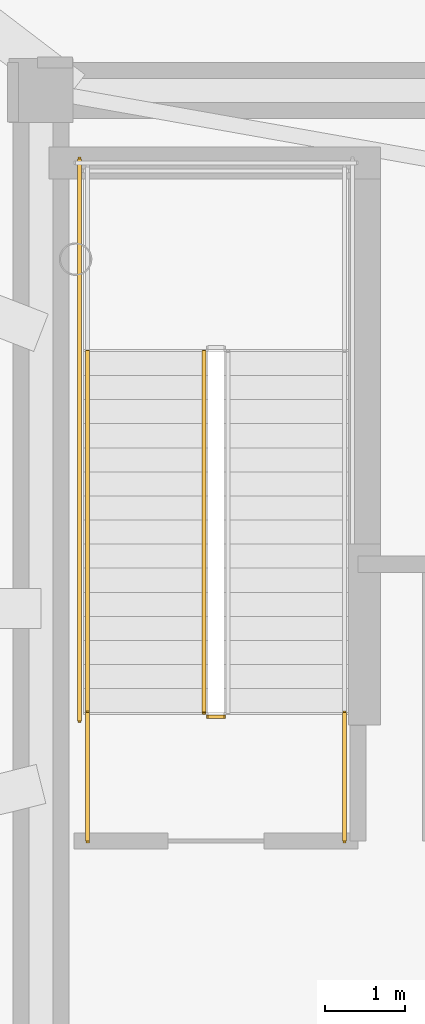
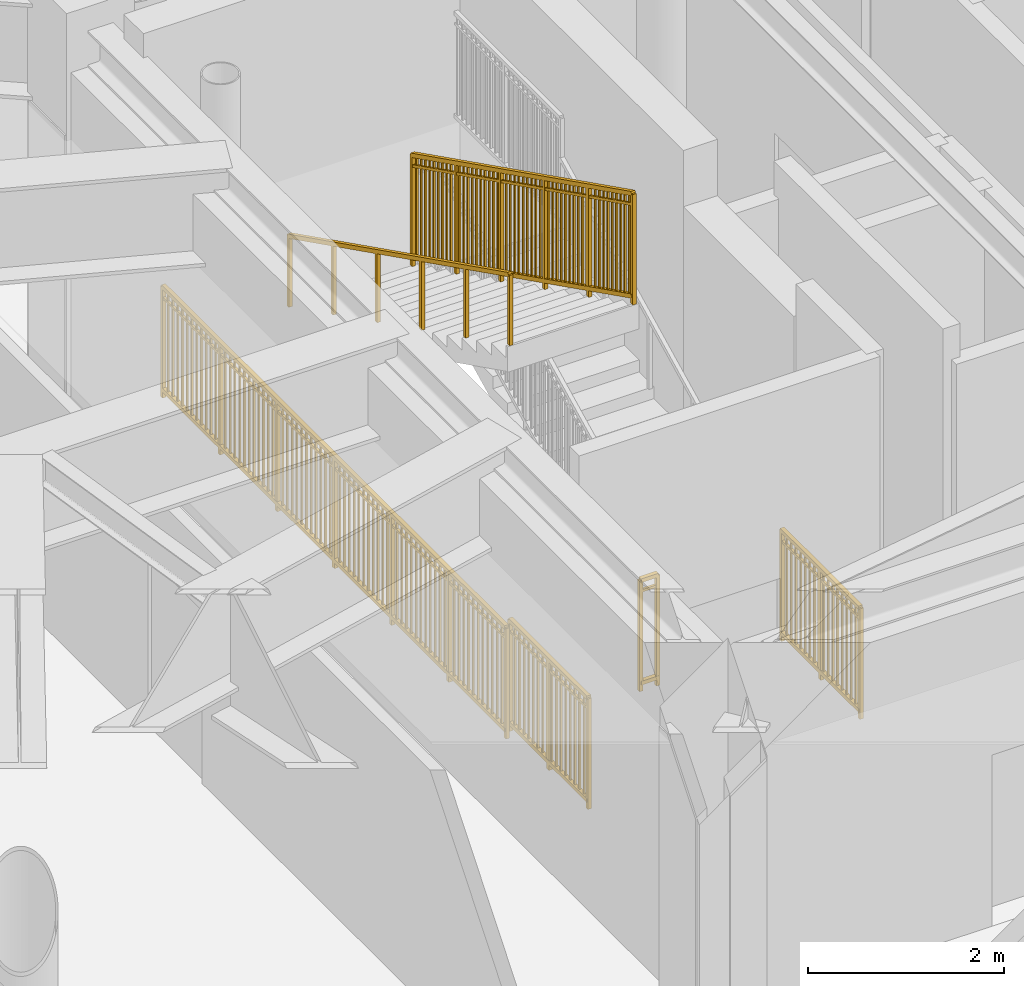
# One storey, part 6 of 11: 6 railings.
"""IFC4 building model written with IfcOpenShell, lengths in metres."""

import ifcopenshell
import ifcopenshell.guid

model = None  # the IFC model being written
_history = None  # IfcOwnerHistory: only IFC2X3 demands one
_inside = {}  # id of a spatial element -> (the spatial element, [elements in it])
_under = {}  # id of a project, library or spatial element -> (it, [spatial elements below it])
_declared = {}  # id of a project -> (the project, [libraries it declares])
_typed = {}  # id of a type object -> (the type object, [elements of that type])
_made_of = {}  # id of a material, layer set ... -> (it, [elements and type objects made of it])


def new_model(schema):
    """Start an empty IFC model of exactly this schema.

    Asked for "IFC4X3", IfcOpenShell would pick the latest addendum, in which some entities
    have other attributes; the version numbers below select the first issue.
    IFC2X3 requires an IfcOwnerHistory on every rooted entity: one is made here for all.
    """
    global model, _history
    if schema == "IFC4X3":
        model = ifcopenshell.file(schema_version=(4, 3, 0, 0))
    else:
        model = ifcopenshell.file(schema=schema)
    _inside.clear()
    _under.clear()
    _declared.clear()
    _typed.clear()
    _made_of.clear()
    _history = None
    if model.schema == "IFC2X3":
        org = make("IfcOrganization", Name="unknown")
        user = make(
            "IfcPersonAndOrganization",
            ThePerson=make("IfcPerson", FamilyName="unknown"),
            TheOrganization=org,
        )
        app = make(
            "IfcApplication",
            ApplicationDeveloper=org,
            Version="unknown",
            ApplicationFullName="unknown",
            ApplicationIdentifier="unknown",
        )
        _history = make(
            "IfcOwnerHistory",
            OwningUser=user,
            OwningApplication=app,
            ChangeAction="ADDED",
            CreationDate=0,
        )
    return model


def make(cls, **values):
    """One entity of the class cls with the attributes given. An attribute that is None is left unset."""
    return model.create_entity(
        cls, **{name: value for name, value in values.items() if value is not None}
    )


def rooted(cls, **values):
    """An entity with a GlobalId (a new one), such as an element, a storey or a relation."""
    return make(cls, GlobalId=ifcopenshell.guid.new(), OwnerHistory=_history, **values)


def si_unit(unit_type, name, prefix=None):
    """IfcSIUnit, for example si_unit("LENGTHUNIT", "METRE", prefix="MILLI")."""
    return make("IfcSIUnit", UnitType=unit_type, Prefix=prefix, Name=name)


def assignment(units):
    """IfcUnitAssignment: the units of a project."""
    return None if units is None else make("IfcUnitAssignment", Units=units)


def point(xyz):
    """IfcCartesianPoint."""
    return None if xyz is None else make("IfcCartesianPoint", Coordinates=xyz)


def direction(xyz):
    """IfcDirection."""
    return None if xyz is None else make("IfcDirection", DirectionRatios=xyz)


def frame(location, z_axis=None, x_axis=None):
    """IfcAxis2Placement3D, a coordinate frame: its origin and axes. An axis left out is left unset."""
    return make(
        "IfcAxis2Placement3D",
        Location=point(location),
        Axis=direction(z_axis),
        RefDirection=direction(x_axis),
    )


def frame_2d(location, x_axis=None):
    """IfcAxis2Placement2D, a coordinate frame in the plane: its origin and x axis."""
    return make(
        "IfcAxis2Placement2D", Location=point(location), RefDirection=direction(x_axis)
    )


def origin():
    """The frame at (0, 0, 0) with its axes left unset."""
    return frame((0.0, 0.0, 0.0))


def origin_2d():
    """The frame at (0, 0) in the plane with its x axis left unset."""
    return frame_2d((0.0, 0.0))


def place(relative_to, where):
    """IfcLocalPlacement: puts the frame where relative to a parent placement (None: the world)."""
    return make(
        "IfcLocalPlacement", PlacementRelTo=relative_to, RelativePlacement=where
    )


def context(
    kind, dimensions, precision=None, world=None, true_north=None, identifier=None
):
    """IfcGeometricRepresentationContext, for example the 3D "Model" context."""
    return make(
        "IfcGeometricRepresentationContext",
        ContextIdentifier=identifier,
        ContextType=kind,
        CoordinateSpaceDimension=dimensions,
        Precision=precision,
        WorldCoordinateSystem=world,
        TrueNorth=true_north,
    )


def subcontext(parent, identifier, kind, view, scale=None):
    """IfcGeometricRepresentationSubContext, for example "Body" below "Model"."""
    return make(
        "IfcGeometricRepresentationSubContext",
        ContextIdentifier=identifier,
        ContextType=kind,
        ParentContext=parent,
        TargetScale=scale,
        TargetView=view,
    )


def project(units=None, contexts=None):
    """IfcProject with its units and contexts."""
    return rooted(
        "IfcProject",
        Name="project",
        RepresentationContexts=contexts,
        UnitsInContext=assignment(units),
    )


def spatial(cls, under=None, at=None, **own):
    """A site, building, storey or space (cls), placed at a placement, below another one or the project."""
    s = rooted(cls, ObjectPlacement=at, **own)
    if under is not None:
        _under.setdefault(under.id(), (under, []))[1].append(s)
    return s


def profile(cls, at=None, kind="AREA", **sizes):
    """A parametric profile (cls). Its sizes go by their IFC names, for example OverallWidth=200.0."""
    return make(cls, ProfileType=kind, Position=at, **sizes)


def rectangle(**sizes):
    """IfcRectangleProfileDef."""
    return profile("IfcRectangleProfileDef", **sizes)


def extrude(swept, where, along, depth):
    """IfcExtrudedAreaSolid: the profile swept, set in the frame where, extruded along a direction by depth."""
    return make(
        "IfcExtrudedAreaSolid",
        SweptArea=swept,
        Position=where,
        ExtrudedDirection=direction(along),
        Depth=depth,
    )


def shape(context_of_items, identifier, shape_type, items):
    """IfcShapeRepresentation: the items that make up one representation, for example the "Body"."""
    return make(
        "IfcShapeRepresentation",
        ContextOfItems=context_of_items,
        RepresentationIdentifier=identifier,
        RepresentationType=shape_type,
        Items=items,
    )


def source(mapping_origin, context_of_items, identifier, shape_type, items):
    """IfcRepresentationMap: a shape defined once, which mapped items show again and again."""
    return make(
        "IfcRepresentationMap",
        MappingOrigin=mapping_origin,
        MappedRepresentation=shape(context_of_items, identifier, shape_type, items),
    )


def transform(
    local_origin,
    x_axis=None,
    y_axis=None,
    z_axis=None,
    scale=None,
    scale2=None,
    scale3=None,
    uniform=True,
):
    """IfcCartesianTransformationOperator3D, or its non-uniform kind. x_axis, y_axis, z_axis: its Axis1, 2, 3."""
    if uniform:
        return make(
            "IfcCartesianTransformationOperator3D",
            Axis1=direction(x_axis),
            Axis2=direction(y_axis),
            LocalOrigin=point(local_origin),
            Scale=scale,
            Axis3=direction(z_axis),
        )
    return make(
        "IfcCartesianTransformationOperator3DnonUniform",
        Axis1=direction(x_axis),
        Axis2=direction(y_axis),
        LocalOrigin=point(local_origin),
        Scale=scale,
        Axis3=direction(z_axis),
        Scale2=scale2,
        Scale3=scale3,
    )


def mapped(mapping_source, mapping_target):
    """IfcMappedItem: shows the shape of a source again, moved by a transform."""
    return make(
        "IfcMappedItem", MappingSource=mapping_source, MappingTarget=mapping_target
    )


def material(Name=None, Category=None):
    """IfcMaterial."""
    return make("IfcMaterial", Name=Name, Category=Category)


def made_of(thing, what):
    """Note that an element or type object is made of a material, layer set ...; save() writes the relation."""
    if what is not None:
        _made_of.setdefault(what.id(), (what, []))[1].append(thing)
    return thing


def type_object(cls, material=None, **own):
    """A type object (cls), such as IfcWallType, which elements share."""
    return made_of(rooted(cls, **own), material)


def element(
    cls,
    number,
    at=None,
    inside=None,
    cuts=None,
    type_object=None,
    material=None,
    context=None,
    identifier="Body",
    shape_type=None,
    held_by="IfcProductDefinitionShape",
    body=None,
    shapes=None,
    **own,
):
    """One element of the class cls, such as IfcWall. Its Tag is "e" and its number.

    at: its placement. inside: the storey or other place that contains it. cuts: it is an
    opening in that element (IfcRelVoidsElement). A single representation is given by context,
    identifier, shape_type and body (its items); several are given by shapes. held_by: the class
    of the entity that holds the representations. save() writes the other relations.
    """
    e = rooted(cls, Tag="e%d" % number, ObjectPlacement=at, **own)
    if body is not None:
        shapes = [shape(context, identifier, shape_type, body)]
    if shapes is not None:
        e.Representation = make(held_by, Representations=shapes)
    if inside is not None:
        _inside.setdefault(inside.id(), (inside, []))[1].append(e)
    if cuts is not None:
        rooted(
            "IfcRelVoidsElement", RelatingBuildingElement=cuts, RelatedOpeningElement=e
        )
    if type_object is not None:
        _typed.setdefault(type_object.id(), (type_object, []))[1].append(e)
    return made_of(e, material)


def aggregate(whole, parts):
    """IfcRelAggregates: a whole, such as a stair, and the parts it consists of."""
    return rooted("IfcRelAggregates", RelatingObject=whole, RelatedObjects=parts)


def save(model, path):
    """Write the relations noted so far, then the file.

    IfcRelAggregates (storeys below a building ...), IfcRelContainedInSpatialStructure (elements
    in a storey), IfcRelDefinesByType, IfcRelAssociatesMaterial and IfcRelDeclares: one each for
    every whole, place, type object, material and project.
    """
    for whole, parts in _under.values():
        aggregate(whole, parts)
    for where, things in _inside.values():
        rooted(
            "IfcRelContainedInSpatialStructure",
            RelatedElements=things,
            RelatingStructure=where,
        )
    for kind, things in _typed.values():
        rooted("IfcRelDefinesByType", RelatedObjects=things, RelatingType=kind)
    for what, things in _made_of.values():
        rooted("IfcRelAssociatesMaterial", RelatedObjects=things, RelatingMaterial=what)
    for by, libraries in _declared.values():
        rooted("IfcRelDeclares", RelatingContext=by, RelatedDefinitions=libraries)
    model.write(path)


model = new_model("IFC4")

# Units and contexts
model_context = context("Model", 3, precision=1e-05, world=origin(), true_north=direction((0.0, 1.0)))
body_context = subcontext(model_context, "Body", "Model", "MODEL_VIEW")
ifc_project = project(units=[si_unit("LENGTHUNIT", "METRE"), si_unit("AREAUNIT", "SQUARE_METRE"), si_unit("VOLUMEUNIT", "CUBIC_METRE"), si_unit("PLANEANGLEUNIT", "RADIAN"), si_unit("MASSUNIT", "GRAM", prefix="KILO")], contexts=[model_context])

# Site, building, storey
site_placement = place(None, origin())
site = spatial("IfcSite", under=ifc_project, at=site_placement, CompositionType="ELEMENT")
building_placement = place(site_placement, origin())
building = spatial("IfcBuilding", under=site, at=building_placement, Name="Linh Dai School and Residence Tower", CompositionType="ELEMENT")
storey_placement = place(building_placement, frame((0.0, 0.0, 363.60009765625)))
storey = spatial("IfcBuildingStorey", under=building, at=storey_placement, Name="L90", CompositionType="ELEMENT", Elevation=363.60009765625)

# Railings
ifc_material_1 = material(Name="Structural Steel S355JR", Category="steel")
railing_type_1 = type_object("IfcRailingType", Name="RL-ST-GUARD-1400", PredefinedType="GUARDRAIL", material=ifc_material_1)
shared_shape_1 = source(origin(), body_context, "Body", "SweptSolid", [
    extrude(rectangle(XDim=0.048095703125, YDim=0.048095703125, at=origin_2d()), frame((0.0, 0.0, 1.3759765625), z_axis=(-1.0, 0.0, 0.0), x_axis=(0.0, -1.0, 0.0)), (0.0, 0.0, 1.0), 0.199951171875),
    extrude(rectangle(XDim=0.048095703125, YDim=0.048095703125, at=origin_2d()), frame((0.0, 0.0, 0.10009765625), z_axis=(-1.0, 0.0, 0.0), x_axis=(0.0, -1.0, 0.0)), (0.0, 0.0, 1.0), 0.199951171875),
    extrude(rectangle(XDim=0.030029296875, YDim=0.030029296875, at=origin_2d()), frame((0.0, 0.0, 1.239990234375), z_axis=(-1.0, 0.0, 0.0), x_axis=(0.0, -1.0, 0.0)), (0.0, 0.0, 1.0), 0.199951171875),
    extrude(rectangle(XDim=0.0419921875, YDim=0.0419921875, at=origin_2d()), origin(), (0.0, 0.0, 1.0), 1.3759765625),
    extrude(rectangle(XDim=0.0419921875, YDim=0.0419921875, at=origin_2d()), frame((-0.199951171875, 0.0, 0.0)), (0.0, 0.0, 1.0), 1.3759765625),
])
railing_1_placement = place(storey_placement, frame((29.429931640625, 25.64990234375, 0.0)))
element("IfcRailing", 1, at=railing_1_placement, inside=storey, type_object=railing_type_1, Name="L90 ST1 stair guard 7", PredefinedType="GUARDRAIL", context=body_context, shape_type="MappedRepresentation", body=[
    mapped(shared_shape_1, transform((0.0, 0.0, 0.0), x_axis=(1.0, 0.0, 0.0), y_axis=(0.0, 1.0, 0.0), z_axis=(0.0, 0.0, 1.0), scale=1.0)),
])
shared_shape_2 = source(origin(), body_context, "Body", "SweptSolid", [
    extrude(rectangle(XDim=0.048095703125, YDim=0.048095703125, at=origin_2d()), frame((0.0, 0.0, 1.3759765625), z_axis=(0.0, 1.0, 0.0), x_axis=(-1.0, 0.0, 0.0)), (0.0, 0.0, 1.0), 1.599853515625),
    extrude(rectangle(XDim=0.048095703125, YDim=0.048095703125, at=origin_2d()), frame((0.0, 0.0, 0.10009765625), z_axis=(0.0, 1.0, 0.0), x_axis=(-1.0, 0.0, 0.0)), (0.0, 0.0, 1.0), 1.599853515625),
    extrude(rectangle(XDim=0.030029296875, YDim=0.030029296875, at=origin_2d()), frame((0.0, 0.0, 1.239990234375), z_axis=(0.0, 1.0, 0.0), x_axis=(-1.0, 0.0, 0.0)), (0.0, 0.0, 1.0), 1.599853515625),
    extrude(rectangle(XDim=0.02001953125, YDim=0.02001953125, at=origin_2d()), frame((0.0, 0.093994140625, 0.10009765625)), (0.0, 0.0, 1.0), 1.251708984375),
    extrude(rectangle(XDim=0.02001953125, YDim=0.02001953125, at=origin_2d()), frame((0.0, 0.188232421875, 0.10009765625)), (0.0, 0.0, 1.0), 1.251708984375),
    extrude(rectangle(XDim=0.02001953125, YDim=0.02001953125, at=origin_2d()), frame((0.0, 0.2822265625, 0.10009765625)), (0.0, 0.0, 1.0), 1.251708984375),
    extrude(rectangle(XDim=0.02001953125, YDim=0.02001953125, at=origin_2d()), frame((0.0, 0.37646484375, 0.10009765625)), (0.0, 0.0, 1.0), 1.251708984375),
    extrude(rectangle(XDim=0.02001953125, YDim=0.02001953125, at=origin_2d()), frame((0.0, 0.470458984375, 0.10009765625)), (0.0, 0.0, 1.0), 1.251708984375),
    extrude(rectangle(XDim=0.02001953125, YDim=0.02001953125, at=origin_2d()), frame((0.0, 0.564697265625, 0.10009765625)), (0.0, 0.0, 1.0), 1.251708984375),
    extrude(rectangle(XDim=0.02001953125, YDim=0.02001953125, at=origin_2d()), frame((0.0, 0.65869140625, 0.10009765625)), (0.0, 0.0, 1.0), 1.251708984375),
    extrude(rectangle(XDim=0.02001953125, YDim=0.02001953125, at=origin_2d()), frame((0.0, 0.7529296875, 0.10009765625)), (0.0, 0.0, 1.0), 1.251708984375),
    extrude(rectangle(XDim=0.02001953125, YDim=0.02001953125, at=origin_2d()), frame((0.0, 0.846923828125, 0.10009765625)), (0.0, 0.0, 1.0), 1.251708984375),
    extrude(rectangle(XDim=0.02001953125, YDim=0.02001953125, at=origin_2d()), frame((0.0, 0.941162109375, 0.10009765625)), (0.0, 0.0, 1.0), 1.251708984375),
    extrude(rectangle(XDim=0.02001953125, YDim=0.02001953125, at=origin_2d()), frame((0.0, 1.03515625, 0.10009765625)), (0.0, 0.0, 1.0), 1.251708984375),
    extrude(rectangle(XDim=0.02001953125, YDim=0.02001953125, at=origin_2d()), frame((0.0, 1.12939453125, 0.10009765625)), (0.0, 0.0, 1.0), 1.251708984375),
    extrude(rectangle(XDim=0.02001953125, YDim=0.02001953125, at=origin_2d()), frame((0.0, 1.223388671875, 0.10009765625)), (0.0, 0.0, 1.0), 1.251708984375),
    extrude(rectangle(XDim=0.02001953125, YDim=0.02001953125, at=origin_2d()), frame((0.0, 1.317626953125, 0.10009765625)), (0.0, 0.0, 1.0), 1.251708984375),
    extrude(rectangle(XDim=0.02001953125, YDim=0.02001953125, at=origin_2d()), frame((0.0, 1.41162109375, 0.10009765625)), (0.0, 0.0, 1.0), 1.251708984375),
    extrude(rectangle(XDim=0.02001953125, YDim=0.02001953125, at=origin_2d()), frame((0.0, 1.505859375, 0.10009765625)), (0.0, 0.0, 1.0), 1.251708984375),
    extrude(rectangle(XDim=0.0419921875, YDim=0.0419921875, at=origin_2d()), origin(), (0.0, 0.0, 1.0), 1.3759765625),
    extrude(rectangle(XDim=0.0419921875, YDim=0.0419921875, at=origin_2d()), frame((0.0, 0.7998046875, 0.0)), (0.0, 0.0, 1.0), 1.3759765625),
    extrude(rectangle(XDim=0.0419921875, YDim=0.0419921875, at=origin_2d()), frame((0.0, 1.599853515625, 0.0)), (0.0, 0.0, 1.0), 1.3759765625),
])
for number, where, name in (
    (2, (30.929931640625, 24.10009765625, 0.0), "L90 ST1 stair guard 8"),
    (3, (27.72998046875, 24.10009765625, 0.0), "L90 ST1 stair guard 9"),
):
    element("IfcRailing", number, at=place(storey_placement, frame(where)), inside=storey, type_object=railing_type_1, Name=name, PredefinedType="GUARDRAIL", context=body_context, shape_type="MappedRepresentation", body=[
        mapped(shared_shape_2, transform((0.0, 0.0, 0.0), x_axis=(1.0, 0.0, 0.0), y_axis=(0.0, 1.0, 0.0), z_axis=(0.0, 0.0, 1.0), scale=1.0)),
    ])
shared_shape_3 = source(origin(), body_context, "Body", "SweptSolid", [
    extrude(rectangle(XDim=0.048095703125, YDim=0.048095703125, at=origin_2d()), frame((0.0, 0.0, 1.3759765625), z_axis=(0.0, 1.0, 0.0), x_axis=(-1.0, 0.0, 0.0)), (0.0, 0.0, 1.0), 7.0),
    extrude(rectangle(XDim=0.048095703125, YDim=0.048095703125, at=origin_2d()), frame((0.0, 0.0, 0.10009765625), z_axis=(0.0, 1.0, 0.0), x_axis=(-1.0, 0.0, 0.0)), (0.0, 0.0, 1.0), 7.0),
    extrude(rectangle(XDim=0.030029296875, YDim=0.030029296875, at=origin_2d()), frame((0.0, 0.0, 1.239990234375), z_axis=(0.0, 1.0, 0.0), x_axis=(-1.0, 0.0, 0.0)), (0.0, 0.0, 1.0), 7.0),
    extrude(rectangle(XDim=0.02001953125, YDim=0.02001953125, at=origin_2d()), frame((0.0, 0.09716796875, 0.10009765625)), (0.0, 0.0, 1.0), 1.251708984375),
    extrude(rectangle(XDim=0.02001953125, YDim=0.02001953125, at=origin_2d()), frame((0.0, 0.1943359375, 0.10009765625)), (0.0, 0.0, 1.0), 1.251708984375),
    extrude(rectangle(XDim=0.02001953125, YDim=0.02001953125, at=origin_2d()), frame((0.0, 0.291748046875, 0.10009765625)), (0.0, 0.0, 1.0), 1.251708984375),
    extrude(rectangle(XDim=0.02001953125, YDim=0.02001953125, at=origin_2d()), frame((0.0, 0.388916015625, 0.10009765625)), (0.0, 0.0, 1.0), 1.251708984375),
    extrude(rectangle(XDim=0.02001953125, YDim=0.02001953125, at=origin_2d()), frame((0.0, 0.486083984375, 0.10009765625)), (0.0, 0.0, 1.0), 1.251708984375),
    extrude(rectangle(XDim=0.02001953125, YDim=0.02001953125, at=origin_2d()), frame((0.0, 0.583251953125, 0.10009765625)), (0.0, 0.0, 1.0), 1.251708984375),
    extrude(rectangle(XDim=0.02001953125, YDim=0.02001953125, at=origin_2d()), frame((0.0, 0.6806640625, 0.10009765625)), (0.0, 0.0, 1.0), 1.251708984375),
    extrude(rectangle(XDim=0.02001953125, YDim=0.02001953125, at=origin_2d()), frame((0.0, 0.77783203125, 0.10009765625)), (0.0, 0.0, 1.0), 1.251708984375),
    extrude(rectangle(XDim=0.02001953125, YDim=0.02001953125, at=origin_2d()), frame((0.0, 0.875, 0.10009765625)), (0.0, 0.0, 1.0), 1.251708984375),
    extrude(rectangle(XDim=0.02001953125, YDim=0.02001953125, at=origin_2d()), frame((0.0, 0.97216796875, 0.10009765625)), (0.0, 0.0, 1.0), 1.251708984375),
    extrude(rectangle(XDim=0.02001953125, YDim=0.02001953125, at=origin_2d()), frame((0.0, 1.0693359375, 0.10009765625)), (0.0, 0.0, 1.0), 1.251708984375),
    extrude(rectangle(XDim=0.02001953125, YDim=0.02001953125, at=origin_2d()), frame((0.0, 1.263916015625, 0.10009765625)), (0.0, 0.0, 1.0), 1.251708984375),
    extrude(rectangle(XDim=0.02001953125, YDim=0.02001953125, at=origin_2d()), frame((0.0, 1.361083984375, 0.10009765625)), (0.0, 0.0, 1.0), 1.251708984375),
    extrude(rectangle(XDim=0.02001953125, YDim=0.02001953125, at=origin_2d()), frame((0.0, 1.458251953125, 0.10009765625)), (0.0, 0.0, 1.0), 1.251708984375),
    extrude(rectangle(XDim=0.02001953125, YDim=0.02001953125, at=origin_2d()), frame((0.0, 1.5556640625, 0.10009765625)), (0.0, 0.0, 1.0), 1.251708984375),
    extrude(rectangle(XDim=0.02001953125, YDim=0.02001953125, at=origin_2d()), frame((0.0, 1.65283203125, 0.10009765625)), (0.0, 0.0, 1.0), 1.251708984375),
    extrude(rectangle(XDim=0.02001953125, YDim=0.02001953125, at=origin_2d()), frame((0.0, 1.75, 0.10009765625)), (0.0, 0.0, 1.0), 1.251708984375),
    extrude(rectangle(XDim=0.02001953125, YDim=0.02001953125, at=origin_2d()), frame((0.0, 1.84716796875, 0.10009765625)), (0.0, 0.0, 1.0), 1.251708984375),
    extrude(rectangle(XDim=0.02001953125, YDim=0.02001953125, at=origin_2d()), frame((0.0, 1.9443359375, 0.10009765625)), (0.0, 0.0, 1.0), 1.251708984375),
    extrude(rectangle(XDim=0.02001953125, YDim=0.02001953125, at=origin_2d()), frame((0.0, 2.041748046875, 0.10009765625)), (0.0, 0.0, 1.0), 1.251708984375),
    extrude(rectangle(XDim=0.02001953125, YDim=0.02001953125, at=origin_2d()), frame((0.0, 2.138916015625, 0.10009765625)), (0.0, 0.0, 1.0), 1.251708984375),
    extrude(rectangle(XDim=0.02001953125, YDim=0.02001953125, at=origin_2d()), frame((0.0, 2.236083984375, 0.10009765625)), (0.0, 0.0, 1.0), 1.251708984375),
    extrude(rectangle(XDim=0.02001953125, YDim=0.02001953125, at=origin_2d()), frame((0.0, 2.4306640625, 0.10009765625)), (0.0, 0.0, 1.0), 1.251708984375),
    extrude(rectangle(XDim=0.02001953125, YDim=0.02001953125, at=origin_2d()), frame((0.0, 2.52783203125, 0.10009765625)), (0.0, 0.0, 1.0), 1.251708984375),
    extrude(rectangle(XDim=0.02001953125, YDim=0.02001953125, at=origin_2d()), frame((0.0, 2.625, 0.10009765625)), (0.0, 0.0, 1.0), 1.251708984375),
    extrude(rectangle(XDim=0.02001953125, YDim=0.02001953125, at=origin_2d()), frame((0.0, 2.72216796875, 0.10009765625)), (0.0, 0.0, 1.0), 1.251708984375),
    extrude(rectangle(XDim=0.02001953125, YDim=0.02001953125, at=origin_2d()), frame((0.0, 2.8193359375, 0.10009765625)), (0.0, 0.0, 1.0), 1.251708984375),
    extrude(rectangle(XDim=0.02001953125, YDim=0.02001953125, at=origin_2d()), frame((0.0, 2.916748046875, 0.10009765625)), (0.0, 0.0, 1.0), 1.251708984375),
    extrude(rectangle(XDim=0.02001953125, YDim=0.02001953125, at=origin_2d()), frame((0.0, 3.013916015625, 0.10009765625)), (0.0, 0.0, 1.0), 1.251708984375),
    extrude(rectangle(XDim=0.02001953125, YDim=0.02001953125, at=origin_2d()), frame((0.0, 3.111083984375, 0.10009765625)), (0.0, 0.0, 1.0), 1.251708984375),
    extrude(rectangle(XDim=0.02001953125, YDim=0.02001953125, at=origin_2d()), frame((0.0, 3.208251953125, 0.10009765625)), (0.0, 0.0, 1.0), 1.251708984375),
    extrude(rectangle(XDim=0.02001953125, YDim=0.02001953125, at=origin_2d()), frame((0.0, 3.3056640625, 0.10009765625)), (0.0, 0.0, 1.0), 1.251708984375),
    extrude(rectangle(XDim=0.02001953125, YDim=0.02001953125, at=origin_2d()), frame((0.0, 3.40283203125, 0.10009765625)), (0.0, 0.0, 1.0), 1.251708984375),
    extrude(rectangle(XDim=0.02001953125, YDim=0.02001953125, at=origin_2d()), frame((0.0, 3.59716796875, 0.10009765625)), (0.0, 0.0, 1.0), 1.251708984375),
    extrude(rectangle(XDim=0.02001953125, YDim=0.02001953125, at=origin_2d()), frame((0.0, 3.6943359375, 0.10009765625)), (0.0, 0.0, 1.0), 1.251708984375),
    extrude(rectangle(XDim=0.02001953125, YDim=0.02001953125, at=origin_2d()), frame((0.0, 3.791748046875, 0.10009765625)), (0.0, 0.0, 1.0), 1.251708984375),
    extrude(rectangle(XDim=0.02001953125, YDim=0.02001953125, at=origin_2d()), frame((0.0, 3.888916015625, 0.10009765625)), (0.0, 0.0, 1.0), 1.251708984375),
    extrude(rectangle(XDim=0.02001953125, YDim=0.02001953125, at=origin_2d()), frame((0.0, 3.986083984375, 0.10009765625)), (0.0, 0.0, 1.0), 1.251708984375),
    extrude(rectangle(XDim=0.02001953125, YDim=0.02001953125, at=origin_2d()), frame((0.0, 4.083251953125, 0.10009765625)), (0.0, 0.0, 1.0), 1.251708984375),
    extrude(rectangle(XDim=0.02001953125, YDim=0.02001953125, at=origin_2d()), frame((0.0, 4.1806640625, 0.10009765625)), (0.0, 0.0, 1.0), 1.251708984375),
    extrude(rectangle(XDim=0.02001953125, YDim=0.02001953125, at=origin_2d()), frame((0.0, 4.27783203125, 0.10009765625)), (0.0, 0.0, 1.0), 1.251708984375),
    extrude(rectangle(XDim=0.02001953125, YDim=0.02001953125, at=origin_2d()), frame((0.0, 4.375, 0.10009765625)), (0.0, 0.0, 1.0), 1.251708984375),
    extrude(rectangle(XDim=0.02001953125, YDim=0.02001953125, at=origin_2d()), frame((0.0, 4.47216796875, 0.10009765625)), (0.0, 0.0, 1.0), 1.251708984375),
    extrude(rectangle(XDim=0.02001953125, YDim=0.02001953125, at=origin_2d()), frame((0.0, 4.5693359375, 0.10009765625)), (0.0, 0.0, 1.0), 1.251708984375),
    extrude(rectangle(XDim=0.02001953125, YDim=0.02001953125, at=origin_2d()), frame((0.0, 4.763916015625, 0.10009765625)), (0.0, 0.0, 1.0), 1.251708984375),
    extrude(rectangle(XDim=0.02001953125, YDim=0.02001953125, at=origin_2d()), frame((0.0, 4.861083984375, 0.10009765625)), (0.0, 0.0, 1.0), 1.251708984375),
    extrude(rectangle(XDim=0.02001953125, YDim=0.02001953125, at=origin_2d()), frame((0.0, 4.958251953125, 0.10009765625)), (0.0, 0.0, 1.0), 1.251708984375),
    extrude(rectangle(XDim=0.02001953125, YDim=0.02001953125, at=origin_2d()), frame((0.0, 5.0556640625, 0.10009765625)), (0.0, 0.0, 1.0), 1.251708984375),
    extrude(rectangle(XDim=0.02001953125, YDim=0.02001953125, at=origin_2d()), frame((0.0, 5.15283203125, 0.10009765625)), (0.0, 0.0, 1.0), 1.251708984375),
    extrude(rectangle(XDim=0.02001953125, YDim=0.02001953125, at=origin_2d()), frame((0.0, 5.25, 0.10009765625)), (0.0, 0.0, 1.0), 1.251708984375),
    extrude(rectangle(XDim=0.02001953125, YDim=0.02001953125, at=origin_2d()), frame((0.0, 5.34716796875, 0.10009765625)), (0.0, 0.0, 1.0), 1.251708984375),
    extrude(rectangle(XDim=0.02001953125, YDim=0.02001953125, at=origin_2d()), frame((0.0, 5.4443359375, 0.10009765625)), (0.0, 0.0, 1.0), 1.251708984375),
    extrude(rectangle(XDim=0.02001953125, YDim=0.02001953125, at=origin_2d()), frame((0.0, 5.541748046875, 0.10009765625)), (0.0, 0.0, 1.0), 1.251708984375),
    extrude(rectangle(XDim=0.02001953125, YDim=0.02001953125, at=origin_2d()), frame((0.0, 5.638916015625, 0.10009765625)), (0.0, 0.0, 1.0), 1.251708984375),
    extrude(rectangle(XDim=0.02001953125, YDim=0.02001953125, at=origin_2d()), frame((0.0, 5.736083984375, 0.10009765625)), (0.0, 0.0, 1.0), 1.251708984375),
    extrude(rectangle(XDim=0.02001953125, YDim=0.02001953125, at=origin_2d()), frame((0.0, 5.9306640625, 0.10009765625)), (0.0, 0.0, 1.0), 1.251708984375),
    extrude(rectangle(XDim=0.02001953125, YDim=0.02001953125, at=origin_2d()), frame((0.0, 6.02783203125, 0.10009765625)), (0.0, 0.0, 1.0), 1.251708984375),
    extrude(rectangle(XDim=0.02001953125, YDim=0.02001953125, at=origin_2d()), frame((0.0, 6.125, 0.10009765625)), (0.0, 0.0, 1.0), 1.251708984375),
    extrude(rectangle(XDim=0.02001953125, YDim=0.02001953125, at=origin_2d()), frame((0.0, 6.22216796875, 0.10009765625)), (0.0, 0.0, 1.0), 1.251708984375),
    extrude(rectangle(XDim=0.02001953125, YDim=0.02001953125, at=origin_2d()), frame((0.0, 6.3193359375, 0.10009765625)), (0.0, 0.0, 1.0), 1.251708984375),
    extrude(rectangle(XDim=0.02001953125, YDim=0.02001953125, at=origin_2d()), frame((0.0, 6.416748046875, 0.10009765625)), (0.0, 0.0, 1.0), 1.251708984375),
    extrude(rectangle(XDim=0.02001953125, YDim=0.02001953125, at=origin_2d()), frame((0.0, 6.513916015625, 0.10009765625)), (0.0, 0.0, 1.0), 1.251708984375),
    extrude(rectangle(XDim=0.02001953125, YDim=0.02001953125, at=origin_2d()), frame((0.0, 6.611083984375, 0.10009765625)), (0.0, 0.0, 1.0), 1.251708984375),
    extrude(rectangle(XDim=0.02001953125, YDim=0.02001953125, at=origin_2d()), frame((0.0, 6.708251953125, 0.10009765625)), (0.0, 0.0, 1.0), 1.251708984375),
    extrude(rectangle(XDim=0.02001953125, YDim=0.02001953125, at=origin_2d()), frame((0.0, 6.8056640625, 0.10009765625)), (0.0, 0.0, 1.0), 1.251708984375),
    extrude(rectangle(XDim=0.02001953125, YDim=0.02001953125, at=origin_2d()), frame((0.0, 6.90283203125, 0.10009765625)), (0.0, 0.0, 1.0), 1.251708984375),
    extrude(rectangle(XDim=0.0419921875, YDim=0.0419921875, at=origin_2d()), origin(), (0.0, 0.0, 1.0), 1.3759765625),
    extrude(rectangle(XDim=0.0419921875, YDim=0.0419921875, at=origin_2d()), frame((0.0, 1.166748046875, 0.0)), (0.0, 0.0, 1.0), 1.3759765625),
    extrude(rectangle(XDim=0.0419921875, YDim=0.0419921875, at=origin_2d()), frame((0.0, 2.333251953125, 0.0)), (0.0, 0.0, 1.0), 1.3759765625),
    extrude(rectangle(XDim=0.0419921875, YDim=0.0419921875, at=origin_2d()), frame((0.0, 3.5, 0.0)), (0.0, 0.0, 1.0), 1.3759765625),
    extrude(rectangle(XDim=0.0419921875, YDim=0.0419921875, at=origin_2d()), frame((0.0, 4.666748046875, 0.0)), (0.0, 0.0, 1.0), 1.3759765625),
    extrude(rectangle(XDim=0.0419921875, YDim=0.0419921875, at=origin_2d()), frame((0.0, 5.833251953125, 0.0)), (0.0, 0.0, 1.0), 1.3759765625),
    extrude(rectangle(XDim=0.0419921875, YDim=0.0419921875, at=origin_2d()), frame((0.0, 7.0, 0.0)), (0.0, 0.0, 1.0), 1.3759765625),
])
railing_2_placement = place(storey_placement, frame((27.6298828125, 25.60009765625, 0.0)))
element("IfcRailing", 4, at=railing_2_placement, inside=storey, type_object=railing_type_1, Name="L90 ST1 stair guard 11", PredefinedType="GUARDRAIL", context=body_context, shape_type="MappedRepresentation", body=[
    mapped(shared_shape_3, transform((0.0, 0.0, 0.0), x_axis=(1.0, 0.0, 0.0), y_axis=(0.0, 1.0, 0.0), z_axis=(0.0, 0.0, 1.0), scale=1.0)),
])
shared_shape_4 = source(origin(), body_context, "Body", "SweptSolid", [
    extrude(rectangle(XDim=0.048095703125, YDim=0.048095703125, at=origin_2d()), frame((0.0, 0.0, 1.3759765625), z_axis=(0.0, -0.894427191, 0.4472135955), x_axis=(1.0, 0.0, 0.0)), (0.0, 0.0, 1.0), 5.03125),
    extrude(rectangle(XDim=0.048095703125, YDim=0.048095703125, at=origin_2d()), frame((0.0, 0.0, 0.10009765625), z_axis=(0.0, -0.894427191, 0.4472135955), x_axis=(1.0, 0.0, 0.0)), (0.0, 0.0, 1.0), 5.03125),
    extrude(rectangle(XDim=0.030029296875, YDim=0.030029296875, at=origin_2d()), frame((0.0, 0.0, 1.239990234375), z_axis=(0.0, -0.894427191, 0.4472135955), x_axis=(1.0, 0.0, 0.0)), (0.0, 0.0, 1.0), 5.03125),
    extrude(rectangle(XDim=0.02001953125, YDim=0.02001953125, at=origin_2d()), frame((0.0, -0.08642578125, 0.143310546875)), (0.0, 0.0, 1.0), 1.251708984375),
    extrude(rectangle(XDim=0.02001953125, YDim=0.02001953125, at=origin_2d()), frame((0.0, -0.173095703125, 0.1865234375)), (0.0, 0.0, 1.0), 1.251708984375),
    extrude(rectangle(XDim=0.02001953125, YDim=0.02001953125, at=origin_2d()), frame((0.0, -0.259521484375, 0.22998046875)), (0.0, 0.0, 1.0), 1.251708984375),
    extrude(rectangle(XDim=0.02001953125, YDim=0.02001953125, at=origin_2d()), frame((0.0, -0.34619140625, 0.273193359375)), (0.0, 0.0, 1.0), 1.251708984375),
    extrude(rectangle(XDim=0.02001953125, YDim=0.02001953125, at=origin_2d()), frame((0.0, -0.4326171875, 0.31640625)), (0.0, 0.0, 1.0), 1.251708984375),
    extrude(rectangle(XDim=0.02001953125, YDim=0.02001953125, at=origin_2d()), frame((0.0, -0.519287109375, 0.359619140625)), (0.0, 0.0, 1.0), 1.251708984375),
    extrude(rectangle(XDim=0.02001953125, YDim=0.02001953125, at=origin_2d()), frame((0.0, -0.605712890625, 0.403076171875)), (0.0, 0.0, 1.0), 1.251708984375),
    extrude(rectangle(XDim=0.02001953125, YDim=0.02001953125, at=origin_2d()), frame((0.0, -0.6923828125, 0.4462890625)), (0.0, 0.0, 1.0), 1.251708984375),
    extrude(rectangle(XDim=0.02001953125, YDim=0.02001953125, at=origin_2d()), frame((0.0, -0.77880859375, 0.489501953125)), (0.0, 0.0, 1.0), 1.251708984375),
    extrude(rectangle(XDim=0.02001953125, YDim=0.02001953125, at=origin_2d()), frame((0.0, -0.951904296875, 0.576171875)), (0.0, 0.0, 1.0), 1.251708984375),
    extrude(rectangle(XDim=0.02001953125, YDim=0.02001953125, at=origin_2d()), frame((0.0, -1.03857421875, 0.619384765625)), (0.0, 0.0, 1.0), 1.251708984375),
    extrude(rectangle(XDim=0.02001953125, YDim=0.02001953125, at=origin_2d()), frame((0.0, -1.125, 0.66259765625)), (0.0, 0.0, 1.0), 1.251708984375),
    extrude(rectangle(XDim=0.02001953125, YDim=0.02001953125, at=origin_2d()), frame((0.0, -1.21142578125, 0.705810546875)), (0.0, 0.0, 1.0), 1.251708984375),
    extrude(rectangle(XDim=0.02001953125, YDim=0.02001953125, at=origin_2d()), frame((0.0, -1.298095703125, 0.7490234375)), (0.0, 0.0, 1.0), 1.251708984375),
    extrude(rectangle(XDim=0.02001953125, YDim=0.02001953125, at=origin_2d()), frame((0.0, -1.384521484375, 0.79248046875)), (0.0, 0.0, 1.0), 1.251708984375),
    extrude(rectangle(XDim=0.02001953125, YDim=0.02001953125, at=origin_2d()), frame((0.0, -1.47119140625, 0.835693359375)), (0.0, 0.0, 1.0), 1.251708984375),
    extrude(rectangle(XDim=0.02001953125, YDim=0.02001953125, at=origin_2d()), frame((0.0, -1.5576171875, 0.87890625)), (0.0, 0.0, 1.0), 1.251708984375),
    extrude(rectangle(XDim=0.02001953125, YDim=0.02001953125, at=origin_2d()), frame((0.0, -1.644287109375, 0.922119140625)), (0.0, 0.0, 1.0), 1.251708984375),
    extrude(rectangle(XDim=0.02001953125, YDim=0.02001953125, at=origin_2d()), frame((0.0, -1.730712890625, 0.965576171875)), (0.0, 0.0, 1.0), 1.251708984375),
    extrude(rectangle(XDim=0.02001953125, YDim=0.02001953125, at=origin_2d()), frame((0.0, -1.90380859375, 1.052001953125)), (0.0, 0.0, 1.0), 1.251708984375),
    extrude(rectangle(XDim=0.02001953125, YDim=0.02001953125, at=origin_2d()), frame((0.0, -1.990478515625, 1.09521484375)), (0.0, 0.0, 1.0), 1.251708984375),
    extrude(rectangle(XDim=0.02001953125, YDim=0.02001953125, at=origin_2d()), frame((0.0, -2.076904296875, 1.138671875)), (0.0, 0.0, 1.0), 1.251708984375),
    extrude(rectangle(XDim=0.02001953125, YDim=0.02001953125, at=origin_2d()), frame((0.0, -2.16357421875, 1.181884765625)), (0.0, 0.0, 1.0), 1.251708984375),
    extrude(rectangle(XDim=0.02001953125, YDim=0.02001953125, at=origin_2d()), frame((0.0, -2.25, 1.22509765625)), (0.0, 0.0, 1.0), 1.251708984375),
    extrude(rectangle(XDim=0.02001953125, YDim=0.02001953125, at=origin_2d()), frame((0.0, -2.33642578125, 1.268310546875)), (0.0, 0.0, 1.0), 1.251708984375),
    extrude(rectangle(XDim=0.02001953125, YDim=0.02001953125, at=origin_2d()), frame((0.0, -2.423095703125, 1.3115234375)), (0.0, 0.0, 1.0), 1.251708984375),
    extrude(rectangle(XDim=0.02001953125, YDim=0.02001953125, at=origin_2d()), frame((0.0, -2.509521484375, 1.35498046875)), (0.0, 0.0, 1.0), 1.251708984375),
    extrude(rectangle(XDim=0.02001953125, YDim=0.02001953125, at=origin_2d()), frame((0.0, -2.59619140625, 1.398193359375)), (0.0, 0.0, 1.0), 1.251708984375),
    extrude(rectangle(XDim=0.02001953125, YDim=0.02001953125, at=origin_2d()), frame((0.0, -2.769287109375, 1.484619140625)), (0.0, 0.0, 1.0), 1.251708984375),
    extrude(rectangle(XDim=0.02001953125, YDim=0.02001953125, at=origin_2d()), frame((0.0, -2.855712890625, 1.528076171875)), (0.0, 0.0, 1.0), 1.251708984375),
    extrude(rectangle(XDim=0.02001953125, YDim=0.02001953125, at=origin_2d()), frame((0.0, -2.9423828125, 1.5712890625)), (0.0, 0.0, 1.0), 1.251708984375),
    extrude(rectangle(XDim=0.02001953125, YDim=0.02001953125, at=origin_2d()), frame((0.0, -3.02880859375, 1.614501953125)), (0.0, 0.0, 1.0), 1.251708984375),
    extrude(rectangle(XDim=0.02001953125, YDim=0.02001953125, at=origin_2d()), frame((0.0, -3.115478515625, 1.65771484375)), (0.0, 0.0, 1.0), 1.251708984375),
    extrude(rectangle(XDim=0.02001953125, YDim=0.02001953125, at=origin_2d()), frame((0.0, -3.201904296875, 1.701171875)), (0.0, 0.0, 1.0), 1.251708984375),
    extrude(rectangle(XDim=0.02001953125, YDim=0.02001953125, at=origin_2d()), frame((0.0, -3.28857421875, 1.744384765625)), (0.0, 0.0, 1.0), 1.251708984375),
    extrude(rectangle(XDim=0.02001953125, YDim=0.02001953125, at=origin_2d()), frame((0.0, -3.375, 1.78759765625)), (0.0, 0.0, 1.0), 1.251708984375),
    extrude(rectangle(XDim=0.02001953125, YDim=0.02001953125, at=origin_2d()), frame((0.0, -3.46142578125, 1.830810546875)), (0.0, 0.0, 1.0), 1.251708984375),
    extrude(rectangle(XDim=0.02001953125, YDim=0.02001953125, at=origin_2d()), frame((0.0, -3.548095703125, 1.8740234375)), (0.0, 0.0, 1.0), 1.251708984375),
    extrude(rectangle(XDim=0.02001953125, YDim=0.02001953125, at=origin_2d()), frame((0.0, -3.72119140625, 1.960693359375)), (0.0, 0.0, 1.0), 1.251708984375),
    extrude(rectangle(XDim=0.02001953125, YDim=0.02001953125, at=origin_2d()), frame((0.0, -3.8076171875, 2.00390625)), (0.0, 0.0, 1.0), 1.251708984375),
    extrude(rectangle(XDim=0.02001953125, YDim=0.02001953125, at=origin_2d()), frame((0.0, -3.894287109375, 2.047119140625)), (0.0, 0.0, 1.0), 1.251708984375),
    extrude(rectangle(XDim=0.02001953125, YDim=0.02001953125, at=origin_2d()), frame((0.0, -3.980712890625, 2.090576171875)), (0.0, 0.0, 1.0), 1.251708984375),
    extrude(rectangle(XDim=0.02001953125, YDim=0.02001953125, at=origin_2d()), frame((0.0, -4.0673828125, 2.1337890625)), (0.0, 0.0, 1.0), 1.251708984375),
    extrude(rectangle(XDim=0.02001953125, YDim=0.02001953125, at=origin_2d()), frame((0.0, -4.15380859375, 2.177001953125)), (0.0, 0.0, 1.0), 1.251708984375),
    extrude(rectangle(XDim=0.02001953125, YDim=0.02001953125, at=origin_2d()), frame((0.0, -4.240478515625, 2.22021484375)), (0.0, 0.0, 1.0), 1.251708984375),
    extrude(rectangle(XDim=0.02001953125, YDim=0.02001953125, at=origin_2d()), frame((0.0, -4.326904296875, 2.263671875)), (0.0, 0.0, 1.0), 1.251708984375),
    extrude(rectangle(XDim=0.02001953125, YDim=0.02001953125, at=origin_2d()), frame((0.0, -4.41357421875, 2.306884765625)), (0.0, 0.0, 1.0), 1.251708984375),
    extrude(rectangle(XDim=0.0419921875, YDim=0.0419921875, at=origin_2d()), origin(), (0.0, 0.0, 1.0), 1.3759765625),
    extrude(rectangle(XDim=0.0419921875, YDim=0.0419921875, at=origin_2d()), frame((0.0, -0.89990234375, 0.449951171875)), (0.0, 0.0, 1.0), 1.3759765625),
    extrude(rectangle(XDim=0.0419921875, YDim=0.0419921875, at=origin_2d()), frame((0.0, -1.800048828125, 0.89990234375)), (0.0, 0.0, 1.0), 1.3759765625),
    extrude(rectangle(XDim=0.0419921875, YDim=0.0419921875, at=origin_2d()), frame((0.0, -2.699951171875, 1.35009765625)), (0.0, 0.0, 1.0), 1.3759765625),
    extrude(rectangle(XDim=0.0419921875, YDim=0.0419921875, at=origin_2d()), frame((0.0, -3.60009765625, 1.800048828125)), (0.0, 0.0, 1.0), 1.3759765625),
    extrude(rectangle(XDim=0.0419921875, YDim=0.0419921875, at=origin_2d()), frame((0.0, -4.5, 2.25)), (0.0, 0.0, 1.0), 1.3759765625),
])
railing_3_placement = place(storey_placement, frame((29.179931640625, 30.199951171875, 2.5498046875)))
element("IfcRailing", 5, at=railing_3_placement, inside=storey, type_object=railing_type_1, Name="L90 ST1 stair guard 6", PredefinedType="GUARDRAIL", context=body_context, shape_type="MappedRepresentation", body=[
    mapped(shared_shape_4, transform((0.0, 0.0, 0.0), x_axis=(1.0, 0.0, 0.0), y_axis=(0.0, 1.0, 0.0), z_axis=(0.0, 0.0, 1.0), scale=1.0)),
])
ifc_material_2 = material(Name="Brushed Stainless Steel Handrail", Category="steel")
railing_type_2 = type_object("IfcRailingType", Name="RL-ST-HANDRAIL-900", PredefinedType="HANDRAIL", material=ifc_material_2)
shared_shape_5 = source(origin(), body_context, "Body", "SweptSolid", [
    extrude(rectangle(XDim=0.048095703125, YDim=0.048095703125, at=origin_2d()), frame((0.0, 0.0, 0.8759765625), z_axis=(0.0, -0.894427191, 0.4472135955), x_axis=(1.0, 0.0, 0.0)), (0.0, 0.0, 1.0), 5.03125),
    extrude(rectangle(XDim=0.0419921875, YDim=0.0419921875, at=origin_2d()), origin(), (0.0, 0.0, 1.0), 0.8759765625),
    extrude(rectangle(XDim=0.0419921875, YDim=0.0419921875, at=origin_2d()), frame((0.0, -0.89990234375, 0.449951171875)), (0.0, 0.0, 1.0), 0.8759765625),
    extrude(rectangle(XDim=0.0419921875, YDim=0.0419921875, at=origin_2d()), frame((0.0, -1.800048828125, 0.89990234375)), (0.0, 0.0, 1.0), 0.8759765625),
    extrude(rectangle(XDim=0.0419921875, YDim=0.0419921875, at=origin_2d()), frame((0.0, -2.699951171875, 1.35009765625)), (0.0, 0.0, 1.0), 0.8759765625),
    extrude(rectangle(XDim=0.0419921875, YDim=0.0419921875, at=origin_2d()), frame((0.0, -3.60009765625, 1.800048828125)), (0.0, 0.0, 1.0), 0.8759765625),
    extrude(rectangle(XDim=0.0419921875, YDim=0.0419921875, at=origin_2d()), frame((0.0, -4.5, 2.25)), (0.0, 0.0, 1.0), 0.8759765625),
])
railing_4_placement = place(storey_placement, frame((27.72998046875, 30.199951171875, 2.5498046875)))
element("IfcRailing", 6, at=railing_4_placement, inside=storey, type_object=railing_type_2, Name="L90 ST1 stair handrail 2", PredefinedType="HANDRAIL", context=body_context, shape_type="MappedRepresentation", body=[
    mapped(shared_shape_5, transform((0.0, 0.0, 0.0), x_axis=(1.0, 0.0, 0.0), y_axis=(0.0, 1.0, 0.0), z_axis=(0.0, 0.0, 1.0), scale=1.0)),
])

save(model, "model.ifc")
